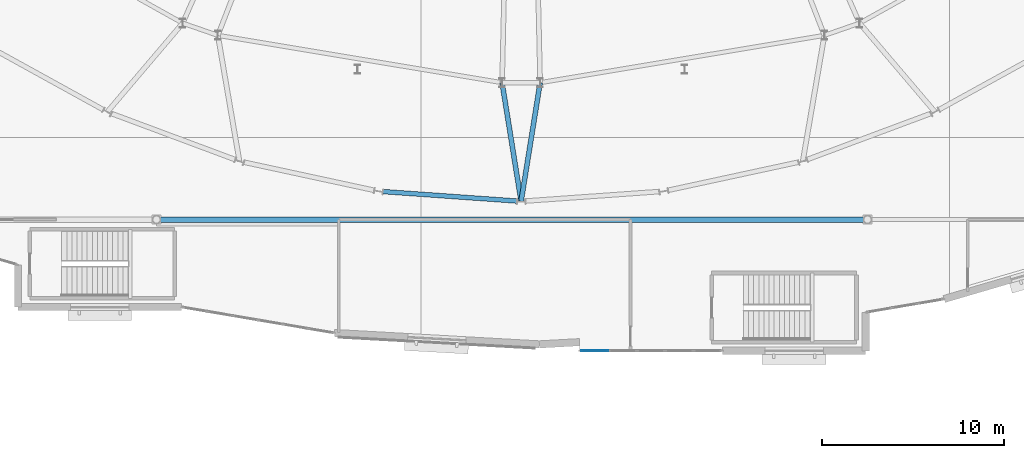
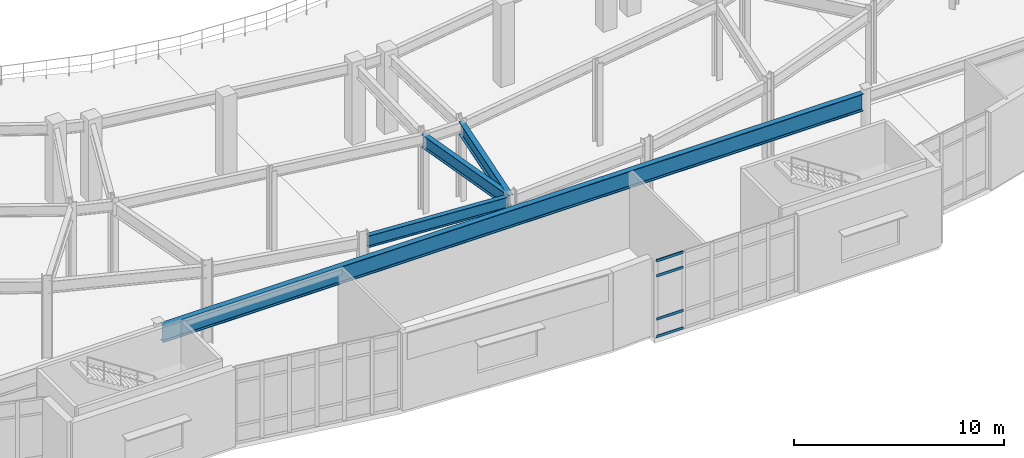
# One storey, part 35 of 86: 4 beams, 4 members, 1 element without a shape of its own.
"""IFC4 building model written with IfcOpenShell, lengths in metres."""

import ifcopenshell
import ifcopenshell.guid

model = None  # the IFC model being written
_history = None  # IfcOwnerHistory: only IFC2X3 demands one
_inside = {}  # id of a spatial element -> (the spatial element, [elements in it])
_under = {}  # id of a project, library or spatial element -> (it, [spatial elements below it])
_declared = {}  # id of a project -> (the project, [libraries it declares])
_typed = {}  # id of a type object -> (the type object, [elements of that type])
_made_of = {}  # id of a material, layer set ... -> (it, [elements and type objects made of it])


def new_model(schema):
    """Start an empty IFC model of exactly this schema.

    Asked for "IFC4X3", IfcOpenShell would pick the latest addendum, in which some entities
    have other attributes; the version numbers below select the first issue.
    IFC2X3 requires an IfcOwnerHistory on every rooted entity: one is made here for all.
    """
    global model, _history
    if schema == "IFC4X3":
        model = ifcopenshell.file(schema_version=(4, 3, 0, 0))
    else:
        model = ifcopenshell.file(schema=schema)
    _inside.clear()
    _under.clear()
    _declared.clear()
    _typed.clear()
    _made_of.clear()
    _history = None
    if model.schema == "IFC2X3":
        org = make("IfcOrganization", Name="unknown")
        user = make(
            "IfcPersonAndOrganization",
            ThePerson=make("IfcPerson", FamilyName="unknown"),
            TheOrganization=org,
        )
        app = make(
            "IfcApplication",
            ApplicationDeveloper=org,
            Version="unknown",
            ApplicationFullName="unknown",
            ApplicationIdentifier="unknown",
        )
        _history = make(
            "IfcOwnerHistory",
            OwningUser=user,
            OwningApplication=app,
            ChangeAction="ADDED",
            CreationDate=0,
        )
    return model


def make(cls, **values):
    """One entity of the class cls with the attributes given. An attribute that is None is left unset."""
    return model.create_entity(
        cls, **{name: value for name, value in values.items() if value is not None}
    )


def rooted(cls, **values):
    """An entity with a GlobalId (a new one), such as an element, a storey or a relation."""
    return make(cls, GlobalId=ifcopenshell.guid.new(), OwnerHistory=_history, **values)


def si_unit(unit_type, name, prefix=None):
    """IfcSIUnit, for example si_unit("LENGTHUNIT", "METRE", prefix="MILLI")."""
    return make("IfcSIUnit", UnitType=unit_type, Prefix=prefix, Name=name)


def assignment(units):
    """IfcUnitAssignment: the units of a project."""
    return None if units is None else make("IfcUnitAssignment", Units=units)


def point(xyz):
    """IfcCartesianPoint."""
    return None if xyz is None else make("IfcCartesianPoint", Coordinates=xyz)


def direction(xyz):
    """IfcDirection."""
    return None if xyz is None else make("IfcDirection", DirectionRatios=xyz)


def frame(location, z_axis=None, x_axis=None):
    """IfcAxis2Placement3D, a coordinate frame: its origin and axes. An axis left out is left unset."""
    return make(
        "IfcAxis2Placement3D",
        Location=point(location),
        Axis=direction(z_axis),
        RefDirection=direction(x_axis),
    )


def frame_2d(location, x_axis=None):
    """IfcAxis2Placement2D, a coordinate frame in the plane: its origin and x axis."""
    return make(
        "IfcAxis2Placement2D", Location=point(location), RefDirection=direction(x_axis)
    )


def origin():
    """The frame at (0, 0, 0) with its axes left unset."""
    return frame((0.0, 0.0, 0.0))


def origin_2d():
    """The frame at (0, 0) in the plane with its x axis left unset."""
    return frame_2d((0.0, 0.0))


def place(relative_to, where):
    """IfcLocalPlacement: puts the frame where relative to a parent placement (None: the world)."""
    return make(
        "IfcLocalPlacement", PlacementRelTo=relative_to, RelativePlacement=where
    )


def context(
    kind, dimensions, precision=None, world=None, true_north=None, identifier=None
):
    """IfcGeometricRepresentationContext, for example the 3D "Model" context."""
    return make(
        "IfcGeometricRepresentationContext",
        ContextIdentifier=identifier,
        ContextType=kind,
        CoordinateSpaceDimension=dimensions,
        Precision=precision,
        WorldCoordinateSystem=world,
        TrueNorth=true_north,
    )


def subcontext(parent, identifier, kind, view, scale=None):
    """IfcGeometricRepresentationSubContext, for example "Body" below "Model"."""
    return make(
        "IfcGeometricRepresentationSubContext",
        ContextIdentifier=identifier,
        ContextType=kind,
        ParentContext=parent,
        TargetScale=scale,
        TargetView=view,
    )


def project(units=None, contexts=None):
    """IfcProject with its units and contexts."""
    return rooted(
        "IfcProject",
        Name="project",
        RepresentationContexts=contexts,
        UnitsInContext=assignment(units),
    )


def spatial(cls, under=None, at=None, **own):
    """A site, building, storey or space (cls), placed at a placement, below another one or the project."""
    s = rooted(cls, ObjectPlacement=at, **own)
    if under is not None:
        _under.setdefault(under.id(), (under, []))[1].append(s)
    return s


def profile(cls, at=None, kind="AREA", **sizes):
    """A parametric profile (cls). Its sizes go by their IFC names, for example OverallWidth=200.0."""
    return make(cls, ProfileType=kind, Position=at, **sizes)


def rectangle(**sizes):
    """IfcRectangleProfileDef."""
    return profile("IfcRectangleProfileDef", **sizes)


def i_section(**sizes):
    """IfcIShapeProfileDef."""
    return profile("IfcIShapeProfileDef", **sizes)


def extrude(swept, where, along, depth):
    """IfcExtrudedAreaSolid: the profile swept, set in the frame where, extruded along a direction by depth."""
    return make(
        "IfcExtrudedAreaSolid",
        SweptArea=swept,
        Position=where,
        ExtrudedDirection=direction(along),
        Depth=depth,
    )


def shape(context_of_items, identifier, shape_type, items):
    """IfcShapeRepresentation: the items that make up one representation, for example the "Body"."""
    return make(
        "IfcShapeRepresentation",
        ContextOfItems=context_of_items,
        RepresentationIdentifier=identifier,
        RepresentationType=shape_type,
        Items=items,
    )


def material(Name=None, Category=None):
    """IfcMaterial."""
    return make("IfcMaterial", Name=Name, Category=Category)


def material_profile(
    of_material, cross_section, Name=None, Category=None, Priority=None
):
    """IfcMaterialProfile: a cross section and its material."""
    return make(
        "IfcMaterialProfile",
        Name=Name,
        Material=of_material,
        Profile=cross_section,
        Priority=Priority,
        Category=Category,
    )


def profile_set(profiles, Name=None, composite=None):
    """IfcMaterialProfileSet."""
    return make(
        "IfcMaterialProfileSet",
        Name=Name,
        MaterialProfiles=profiles,
        CompositeProfile=composite,
    )


def made_of(thing, what):
    """Note that an element or type object is made of a material, layer set ...; save() writes the relation."""
    if what is not None:
        _made_of.setdefault(what.id(), (what, []))[1].append(thing)
    return thing


def type_object(cls, material=None, **own):
    """A type object (cls), such as IfcWallType, which elements share."""
    return made_of(rooted(cls, **own), material)


def element(
    cls,
    number,
    at=None,
    inside=None,
    cuts=None,
    type_object=None,
    material=None,
    context=None,
    identifier="Body",
    shape_type=None,
    held_by="IfcProductDefinitionShape",
    body=None,
    shapes=None,
    **own,
):
    """One element of the class cls, such as IfcWall. Its Tag is "e" and its number.

    at: its placement. inside: the storey or other place that contains it. cuts: it is an
    opening in that element (IfcRelVoidsElement). A single representation is given by context,
    identifier, shape_type and body (its items); several are given by shapes. held_by: the class
    of the entity that holds the representations. save() writes the other relations.
    """
    e = rooted(cls, Tag="e%d" % number, ObjectPlacement=at, **own)
    if body is not None:
        shapes = [shape(context, identifier, shape_type, body)]
    if shapes is not None:
        e.Representation = make(held_by, Representations=shapes)
    if inside is not None:
        _inside.setdefault(inside.id(), (inside, []))[1].append(e)
    if cuts is not None:
        rooted(
            "IfcRelVoidsElement", RelatingBuildingElement=cuts, RelatedOpeningElement=e
        )
    if type_object is not None:
        _typed.setdefault(type_object.id(), (type_object, []))[1].append(e)
    return made_of(e, material)


def aggregate(whole, parts):
    """IfcRelAggregates: a whole, such as a stair, and the parts it consists of."""
    return rooted("IfcRelAggregates", RelatingObject=whole, RelatedObjects=parts)


def save(model, path):
    """Write the relations noted so far, then the file.

    IfcRelAggregates (storeys below a building ...), IfcRelContainedInSpatialStructure (elements
    in a storey), IfcRelDefinesByType, IfcRelAssociatesMaterial and IfcRelDeclares: one each for
    every whole, place, type object, material and project.
    """
    for whole, parts in _under.values():
        aggregate(whole, parts)
    for where, things in _inside.values():
        rooted(
            "IfcRelContainedInSpatialStructure",
            RelatedElements=things,
            RelatingStructure=where,
        )
    for kind, things in _typed.values():
        rooted("IfcRelDefinesByType", RelatedObjects=things, RelatingType=kind)
    for what, things in _made_of.values():
        rooted("IfcRelAssociatesMaterial", RelatedObjects=things, RelatingMaterial=what)
    for by, libraries in _declared.values():
        rooted("IfcRelDeclares", RelatingContext=by, RelatedDefinitions=libraries)
    model.write(path)


model = new_model("IFC4")

# Units and contexts
model_context = context("Model", 3, precision=1e-05, world=origin(), true_north=direction((0.0, 1.0)))
body_context = subcontext(model_context, "Body", "Model", "MODEL_VIEW")
ifc_project = project(units=[si_unit("LENGTHUNIT", "METRE"), si_unit("AREAUNIT", "SQUARE_METRE"), si_unit("VOLUMEUNIT", "CUBIC_METRE"), si_unit("PLANEANGLEUNIT", "RADIAN"), si_unit("MASSUNIT", "GRAM", prefix="KILO")], contexts=[model_context])

# Site, building, storey
site_placement = place(None, origin())
site = spatial("IfcSite", under=ifc_project, at=site_placement, CompositionType="ELEMENT")
building_placement = place(site_placement, origin())
building = spatial("IfcBuilding", under=site, at=building_placement, Name="Glasvene Arena", CompositionType="ELEMENT")
storey_placement = place(building_placement, frame((0.0, 0.0, 5.39990234375)))
storey = spatial("IfcBuildingStorey", under=building, at=storey_placement, Name="L01", CompositionType="ELEMENT", Elevation=5.39990234375)

# Beams
ifc_material_1 = material(Name="Steel S355J2", Category="steel")
ifc_material_profile_1 = material_profile(ifc_material_1, i_section(OverallWidth=0.300048828125, OverallDepth=1.0, WebThickness=0.0166015625, FlangeThickness=0.031005859375, FilletRadius=0.030029296875, at=origin_2d()), Name="UKB 1016x305x272")
ifc_profile_set_1 = profile_set([ifc_material_profile_1], Name="Steel S355J2")
beam_type_1 = type_object("IfcBeamType", Name="BM-GIRD-1016", PredefinedType="BEAM", material=ifc_profile_set_1)
beam_1_placement = place(storey_placement, frame((72.223388671875, 27.0, 4.02001953125), z_axis=(1.0, 0.0, 0.0), x_axis=(0.0, 1.0, 0.0)))
element("IfcBeam", 1, at=beam_1_placement, inside=storey, type_object=beam_type_1, Name="Primary X girder L01-0547", PredefinedType="BEAM", context=body_context, shape_type="SweptSolid", body=[
    extrude(i_section(OverallWidth=0.300048828125, OverallDepth=1.0, WebThickness=0.0166015625, FlangeThickness=0.031005859375, FilletRadius=0.030029296875, at=origin_2d()), origin(), (0.0, 0.0, 1.0), 38.55322265625),
])
ifc_material_profile_2 = material_profile(ifc_material_1, i_section(OverallWidth=0.253662109375, OverallDepth=0.68359375, WebThickness=0.012451171875, FlangeThickness=0.01904296875, FilletRadius=0.01513671875, at=origin_2d()), Name="UKB 686x254x140")
ifc_profile_set_2 = profile_set([ifc_material_profile_2], Name="Steel S355J2")
beam_type_2 = type_object("IfcBeamType", Name="BM-GIRD-686", PredefinedType="BEAM", material=ifc_profile_set_2)
beam_2_placement = place(storey_placement, frame((84.417724609375, 28.537109375, 4.178466796875), z_axis=(0.997501616337, -0.070643650844, 0.0), x_axis=(0.070643650844, 0.997501616337, 0.0)))
element("IfcBeam", 2, at=beam_2_placement, inside=storey, type_object=beam_type_2, Name="Bowl ring chord beam L01-30", PredefinedType="BEAM", context=body_context, shape_type="SweptSolid", body=[
    extrude(i_section(OverallWidth=0.253662109375, OverallDepth=0.68359375, WebThickness=0.012451171875, FlangeThickness=0.01904296875, FilletRadius=0.01513671875, at=origin_2d()), origin(), (0.0, 0.0, 1.0), 7.361083984375),
])
ifc_material_profile_3 = material_profile(ifc_material_1, i_section(OverallWidth=0.2666015625, OverallDepth=0.76220703125, WebThickness=0.014404296875, FlangeThickness=0.021484375, FilletRadius=0.0166015625, at=origin_2d()), Name="UKB 762x267x173")
ifc_profile_set_3 = profile_set([ifc_material_profile_3], Name="Steel S355J2")
beam_type_3 = type_object("IfcBeamType", Name="BM-GIRD-762", PredefinedType="BEAM", material=ifc_profile_set_3)
for number, where, z_axis, x_axis, name in (
    (3, (90.956298828125, 34.510009765625, 4.138916015625), (0.158300997848, -0.987390902369, 0.0), (0.987390902369, 0.158300997848, 0.0), "Radial concourse girder L01-24"),
    (4, (93.043701171875, 34.510009765625, 4.138916015625), (-0.158300997848, -0.987390902369, 0.0), (0.987390902369, -0.158300997848, 0.0), "Radial concourse girder L01-25"),
):
    element("IfcBeam", number, at=place(storey_placement, frame(where, z_axis=z_axis, x_axis=x_axis)), inside=storey, type_object=beam_type_3, Name=name, PredefinedType="BEAM", context=body_context, shape_type="SweptSolid", body=[
        extrude(i_section(OverallWidth=0.2666015625, OverallDepth=0.76220703125, WebThickness=0.014404296875, FlangeThickness=0.021484375, FilletRadius=0.0166015625, at=origin_2d()), origin(), (0.0, 0.0, 1.0), 6.59326171875),
    ])

# Curtain wall, members
ifc_material_2 = material(Name="Low-emissivity laminated double glazing", Category="glass")
curtain_wall_type = type_object("IfcCurtainWallType", Name="CW-FAC-L01-777x446", PredefinedType="USERDEFINED", material=ifc_material_2)
curtain_wall_placement = place(storey_placement, frame((103.010009765625, 19.800048828125, 0.0)))
curtain_wall = element("IfcCurtainWall", 5, at=curtain_wall_placement, inside=storey, type_object=curtain_wall_type, Name="Unitised curtain wall CW-F-L01-180-991-198-43", ObjectType="CURTAIN WALL", PredefinedType="USERDEFINED")
ifc_material_3 = material(Name="Anodised architectural aluminium", Category="aluminium")
ifc_material_profile_4 = material_profile(ifc_material_3, rectangle(XDim=0.050048828125, YDim=0.14990234375, at=origin_2d()), Name="ALU TRANSOM 50x150")
ifc_profile_set_4 = profile_set([ifc_material_profile_4], Name="Anodised architectural aluminium")
member_type = type_object("IfcMemberType", Name="CW-TRN-150", PredefinedType="USERDEFINED", material=ifc_profile_set_4)
member_1_placement = place(storey_placement, frame((96.76904296875, 19.800048828125, 0.085205078125), z_axis=(-1.0, 0.0, 0.0), x_axis=(0.0, -1.0, 0.0)))
member_1 = element("IfcMember", 6, at=member_1_placement, type_object=member_type, Name="CW-013 transom 5.1", ObjectType="TRANSOM", PredefinedType="USERDEFINED", context=body_context, shape_type="SweptSolid", body=[
    extrude(rectangle(XDim=0.050048828125, YDim=0.14990234375, at=origin_2d()), origin(), (0.0, 0.0, 1.0), 1.47900390625),
])
member_2_placement = place(storey_placement, frame((96.76904296875, 19.800048828125, 1.10009765625), z_axis=(-1.0, 0.0, 0.0), x_axis=(0.0, -1.0, 0.0)))
member_2 = element("IfcMember", 7, at=member_2_placement, type_object=member_type, Name="CW-013 transom 5.2", ObjectType="TRANSOM", PredefinedType="USERDEFINED", context=body_context, shape_type="SweptSolid", body=[
    extrude(rectangle(XDim=0.050048828125, YDim=0.14990234375, at=origin_2d()), origin(), (0.0, 0.0, 1.0), 1.47900390625),
])
member_3_placement = place(storey_placement, frame((96.76904296875, 19.800048828125, 3.6201171875), z_axis=(-1.0, 0.0, 0.0), x_axis=(0.0, -1.0, 0.0)))
member_3 = element("IfcMember", 8, at=member_3_placement, type_object=member_type, Name="CW-013 transom 5.3", ObjectType="TRANSOM", PredefinedType="USERDEFINED", context=body_context, shape_type="SweptSolid", body=[
    extrude(rectangle(XDim=0.050048828125, YDim=0.14990234375, at=origin_2d()), origin(), (0.0, 0.0, 1.0), 1.47900390625),
])
member_4_placement = place(storey_placement, frame((96.76904296875, 19.800048828125, 4.4951171875), z_axis=(-1.0, 0.0, 0.0), x_axis=(0.0, -1.0, 0.0)))
member_4 = element("IfcMember", 9, at=member_4_placement, type_object=member_type, Name="CW-013 transom 5.4", ObjectType="TRANSOM", PredefinedType="USERDEFINED", context=body_context, shape_type="SweptSolid", body=[
    extrude(rectangle(XDim=0.050048828125, YDim=0.14990234375, at=origin_2d()), origin(), (0.0, 0.0, 1.0), 1.47900390625),
])
aggregate(curtain_wall, [member_1, member_2, member_3, member_4])

save(model, "model.ifc")
